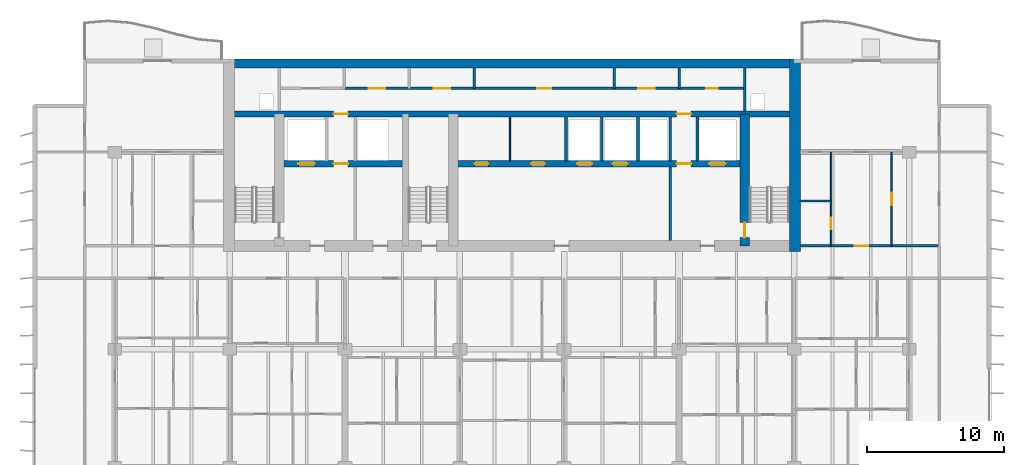
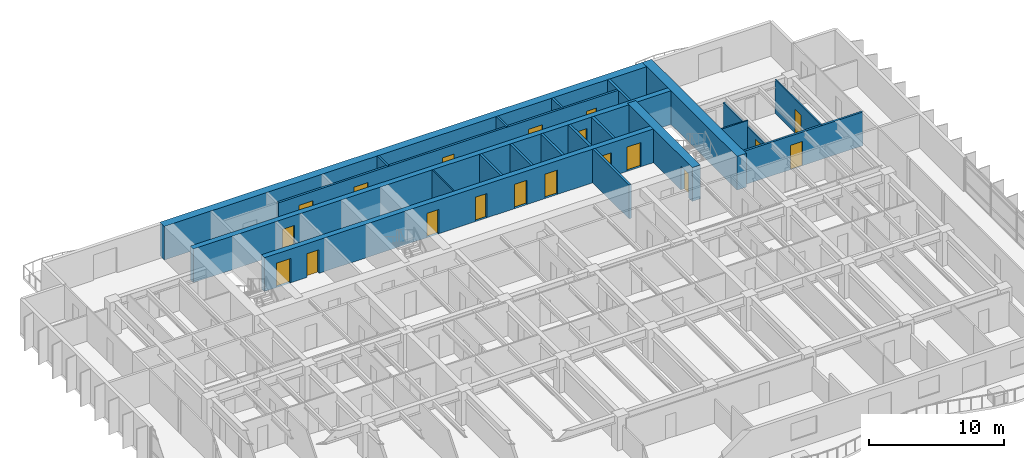
# One storey, part 11 of 17: 21 walls, 19 doors, 19 openings.
"""IFC4 building model written with IfcOpenShell, lengths in metres."""

from ifc_helpers import new_model, si_unit, direction, frame, frame_2d, origin, place, context, subcontext, project, spatial, rectangle, extrude, material, layer, layer_set, type_object, element, fill, save


model = new_model("IFC4")

# Units and contexts
model_context = context("Model", 3, precision=1e-05, world=origin(), true_north=direction((0.0, 1.0)))
body_context = subcontext(model_context, "Body", "Model", "MODEL_VIEW")
ifc_project = project(units=[si_unit("LENGTHUNIT", "METRE"), si_unit("AREAUNIT", "SQUARE_METRE"), si_unit("VOLUMEUNIT", "CUBIC_METRE"), si_unit("PLANEANGLEUNIT", "RADIAN"), si_unit("MASSUNIT", "GRAM", prefix="KILO")], contexts=[model_context])

# Site, building, storey
site_placement = place(None, origin())
site = spatial("IfcSite", under=ifc_project, at=site_placement, CompositionType="ELEMENT")
building_placement = place(site_placement, origin())
building = spatial("IfcBuilding", under=site, at=building_placement, Name="Caelmar Bay Residences", CompositionType="ELEMENT")
storey_placement = place(building_placement, frame((0.0, 0.0, 105.89990234375)))
storey = spatial("IfcBuildingStorey", under=building, at=storey_placement, Name="L28", CompositionType="ELEMENT", Elevation=105.89990234375)

# Wall, opening, door
ifc_material_1 = material(Name="Concrete f'c 55 MPa (8,000 psi)", Category="concrete")
ifc_layer_1 = layer(ifc_material_1, 0.699951171875)
ifc_layer_set_1 = layer_set([ifc_layer_1], Name="Concrete f'c 55 MPa (8,000 psi)")
wall_type_1 = type_object("IfcWallType", Name="SW-COR-700", PredefinedType="SHEAR", material=ifc_layer_set_1)
wall_1_placement = place(storey_placement, frame((55.89990234375, 36.949951171875, 0.0), z_axis=(0.0, 0.0, 1.0), x_axis=(0.0, 1.0, 0.0)))
wall_1 = element("IfcWall", 1, at=wall_1_placement, inside=storey, type_object=wall_type_1, Name="L28 Core Structural Web Wall ST2W", PredefinedType="SHEAR", context=body_context, shape_type="SweptSolid", body=[
    extrude(rectangle(XDim=9.625, YDim=0.699951171875, at=frame_2d((4.8125, 0.0))), origin(), (0.0, 0.0, 1.0), 3.050048828125),
])
opening_1_placement = place(wall_1_placement, frame((0.60009765625, 0.0, 0.0)))
opening_1 = element("IfcOpeningElement", 2, at=opening_1_placement, cuts=wall_1, Name="Opening D-L28-110", PredefinedType="OPENING", context=body_context, shape_type="SweptSolid", body=[
    extrude(rectangle(XDim=1.10009765625, YDim=2.14990234375, at=frame_2d((0.550048828125, 1.074951171875))), frame((0.0, 0.35986328125, 0.0), z_axis=(0.0, -1.0, 0.0), x_axis=(1.0, 0.0, 0.0)), (0.0, 0.0, 1.0), 0.719970703125),
])
ifc_material_2 = material(Name="Fire-rated steel and walnut architectural door assembly", Category="steel")
ifc_layer_2 = layer(ifc_material_2, 0.050048828125)
ifc_layer_set_2 = layer_set([ifc_layer_2], Name="Fire-rated steel and walnut architectural door assembly")
door_type_1 = type_object("IfcDoorType", Name="D-STAIR-1100", OperationType="NOTDEFINED", PredefinedType="DOOR", material=ifc_layer_set_2)
door_1_placement = place(opening_1_placement, origin())
door_1 = element("IfcDoor", 3, at=door_1_placement, inside=storey, type_object=door_type_1, Name="L28 Firefighting Lobby East Door", OperationType="SINGLE_SWING_RIGHT", OverallHeight=2.14990234375, OverallWidth=1.10009765625, PredefinedType="DOOR", context=body_context, shape_type="SweptSolid", body=[
    extrude(rectangle(XDim=1.10009765625, YDim=2.14990234375, at=frame_2d((0.550048828125, 1.074951171875))), frame((0.0, 0.02490234375, 0.0), z_axis=(0.0, -1.0, 0.0), x_axis=(1.0, 0.0, 0.0)), (0.0, 0.0, 1.0), 0.050048828125),
])
fill(opening_1, door_1)

# Walls
ifc_material_3 = material(Name="Concrete f'c 70 MPa (10,000 psi)", Category="concrete")
ifc_layer_3 = layer(ifc_material_3, 0.800048828125)
ifc_layer_set_3 = layer_set([ifc_layer_3], Name="Concrete f'c 70 MPa (10,000 psi)")
wall_type_2 = type_object("IfcWallType", Name="SW-COR-800", PredefinedType="SHEAR", material=ifc_layer_set_3)
wall_2_placement = place(storey_placement, frame((59.550048828125, 36.550048828125, 0.0), z_axis=(0.0, 0.0, 1.0), x_axis=(0.0, 1.0, 0.0)))
element("IfcWall", 4, at=wall_2_placement, inside=storey, type_object=wall_type_2, Name="L28 Rear Core East Shear Wall", PredefinedType="SHEAR", context=body_context, shape_type="SweptSolid", body=[
    extrude(rectangle(XDim=14.050048828125, YDim=0.800048828125, at=frame_2d((7.02490234375, 0.0))), origin(), (0.0, 0.0, 1.0), 3.050048828125),
])
ifc_layer_4 = layer(ifc_material_1, 0.64990234375)
ifc_layer_set_4 = layer_set([ifc_layer_4], Name="Concrete f'c 55 MPa (8,000 psi)")
wall_type_3 = type_object("IfcWallType", Name="SW-CORN-650", PredefinedType="SHEAR", material=ifc_layer_set_4)
wall_3_placement = place(storey_placement, frame((17.85009765625, 50.27490234375, 0.0), z_axis=(0.0, 0.0, 1.0), x_axis=(1.0, 0.0, 0.0)))
element("IfcWall", 5, at=wall_3_placement, inside=storey, type_object=wall_type_3, Name="L28 Rear Core North Shear Wall", PredefinedType="SHEAR", context=body_context, shape_type="SweptSolid", body=[
    extrude(rectangle(XDim=42.099853515625, YDim=0.64990234375, at=frame_2d((21.0498046875, 0.0))), origin(), (0.0, 0.0, 1.0), 3.050048828125),
])

# Wall, openings, doors
ifc_layer_5 = layer(ifc_material_3, 0.449951171875)
ifc_layer_set_5 = layer_set([ifc_layer_5], Name="Concrete f'c 70 MPa (10,000 psi)")
wall_type_4 = type_object("IfcWallType", Name="SW-WEB-450", PredefinedType="SHEAR", material=ifc_layer_set_5)
wall_4_placement = place(storey_placement, frame((22.25, 42.949951171875, 0.0), z_axis=(0.0, 0.0, 1.0), x_axis=(1.0, 0.0, 0.0)))
wall_4 = element("IfcWall", 6, at=wall_4_placement, inside=storey, type_object=wall_type_4, Name="L28 Core Structural Web Wall LFR", PredefinedType="SHEAR", context=body_context, shape_type="SweptSolid", body=[
    extrude(rectangle(XDim=33.300048828125, YDim=0.449951171875, at=frame_2d((16.64990234375, 0.0))), origin(), (0.0, 0.0, 1.0), 3.050048828125),
])
opening_2_placement = place(wall_4_placement, frame((1.050048828125, 0.0, 0.0)))
opening_2 = element("IfcOpeningElement", 7, at=opening_2_placement, cuts=wall_4, Name="Opening LD2", PredefinedType="OPENING", context=body_context, shape_type="SweptSolid", body=[
    extrude(rectangle(XDim=1.199951171875, YDim=2.199951171875, at=frame_2d((0.60009765625, 1.10009765625))), frame((0.0, 0.23486328125, 0.0), z_axis=(0.0, -1.0, 0.0), x_axis=(1.0, 0.0, 0.0)), (0.0, 0.0, 1.0), 0.469970703125),
])
opening_3_placement = place(wall_4_placement, frame((31.050048828125, 0.0, 0.0)))
opening_3 = element("IfcOpeningElement", 8, at=opening_3_placement, cuts=wall_4, Name="Opening LD2", PredefinedType="OPENING", context=body_context, shape_type="SweptSolid", body=[
    extrude(rectangle(XDim=1.199951171875, YDim=2.199951171875, at=frame_2d((0.60009765625, 1.10009765625))), frame((0.0, 0.23486328125, 0.0), z_axis=(0.0, -1.0, 0.0), x_axis=(1.0, 0.0, 0.0)), (0.0, 0.0, 1.0), 0.469970703125),
])
opening_4_placement = place(wall_4_placement, frame((21.39990234375, 0.0, 0.0)))
opening_4 = element("IfcOpeningElement", 9, at=opening_4_placement, cuts=wall_4, Name="Opening LD1", PredefinedType="OPENING", context=body_context, shape_type="SweptSolid", body=[
    extrude(rectangle(XDim=1.10009765625, YDim=2.199951171875, at=frame_2d((0.550048828125, 1.10009765625))), frame((0.0, 0.23486328125, 0.0), z_axis=(0.0, -1.0, 0.0), x_axis=(1.0, 0.0, 0.0)), (0.0, 0.0, 1.0), 0.469970703125),
])
opening_5_placement = place(wall_4_placement, frame((24.0, 0.0, 0.0)))
opening_5 = element("IfcOpeningElement", 10, at=opening_5_placement, cuts=wall_4, Name="Opening LD1", PredefinedType="OPENING", context=body_context, shape_type="SweptSolid", body=[
    extrude(rectangle(XDim=1.10009765625, YDim=2.199951171875, at=frame_2d((0.550048828125, 1.10009765625))), frame((0.0, 0.23486328125, 0.0), z_axis=(0.0, -1.0, 0.0), x_axis=(1.0, 0.0, 0.0)), (0.0, 0.0, 1.0), 0.469970703125),
])
opening_6_placement = place(wall_4_placement, frame((3.625, 0.0, 0.0)))
opening_6 = element("IfcOpeningElement", 11, at=opening_6_placement, cuts=wall_4, Name="Opening D-L28-108", PredefinedType="OPENING", context=body_context, shape_type="SweptSolid", body=[
    extrude(rectangle(XDim=1.050048828125, YDim=2.14990234375, at=frame_2d((0.52490234375, 1.074951171875))), frame((0.0, 0.23486328125, 0.0), z_axis=(0.0, -1.0, 0.0), x_axis=(1.0, 0.0, 0.0)), (0.0, 0.0, 1.0), 0.469970703125),
])
opening_7_placement = place(wall_4_placement, frame((28.675048828125, 0.0, 0.0)))
opening_7 = element("IfcOpeningElement", 12, at=opening_7_placement, cuts=wall_4, Name="Opening D-L28-111", PredefinedType="OPENING", context=body_context, shape_type="SweptSolid", body=[
    extrude(rectangle(XDim=1.050048828125, YDim=2.14990234375, at=frame_2d((0.52490234375, 1.074951171875))), frame((0.0, 0.23486328125, 0.0), z_axis=(0.0, -1.0, 0.0), x_axis=(1.0, 0.0, 0.0)), (0.0, 0.0, 1.0), 0.469970703125),
])
opening_8_placement = place(wall_4_placement, frame((13.925048828125, 0.0, 0.0)))
opening_8 = element("IfcOpeningElement", 13, at=opening_8_placement, cuts=wall_4, Name="Opening D-L28-114", PredefinedType="OPENING", context=body_context, shape_type="SweptSolid", body=[
    extrude(rectangle(XDim=1.0, YDim=2.199951171875, at=frame_2d((0.5, 1.10009765625))), frame((0.0, 0.23486328125, 0.0), z_axis=(0.0, -1.0, 0.0), x_axis=(1.0, 0.0, 0.0)), (0.0, 0.0, 1.0), 0.469970703125),
])
opening_9_placement = place(wall_4_placement, frame((18.050048828125, 0.0, 0.0)))
opening_9 = element("IfcOpeningElement", 14, at=opening_9_placement, cuts=wall_4, Name="Opening D-L28-115", PredefinedType="OPENING", context=body_context, shape_type="SweptSolid", body=[
    extrude(rectangle(XDim=1.0, YDim=2.199951171875, at=frame_2d((0.5, 1.10009765625))), frame((0.0, 0.23486328125, 0.0), z_axis=(0.0, -1.0, 0.0), x_axis=(1.0, 0.0, 0.0)), (0.0, 0.0, 1.0), 0.469970703125),
])
ifc_layer_6 = layer(ifc_material_2, 0.050048828125)
ifc_layer_set_6 = layer_set([ifc_layer_6], Name="Fire-rated steel and walnut architectural door assembly")
door_type_2 = type_object("IfcDoorType", Name="D-FSAE-1050", OperationType="NOTDEFINED", PredefinedType="DOOR", material=ifc_layer_set_6)
door_2_placement = place(opening_6_placement, origin())
door_2 = element("IfcDoor", 15, at=door_2_placement, inside=storey, type_object=door_type_2, Name="L28 Firefighting Lobby West Door", OperationType="SINGLE_SWING_RIGHT", OverallHeight=2.14990234375, OverallWidth=1.050048828125, PredefinedType="DOOR", context=body_context, shape_type="SweptSolid", body=[
    extrude(rectangle(XDim=1.050048828125, YDim=2.14990234375, at=frame_2d((0.52490234375, 1.074951171875))), frame((0.0, 0.02490234375, 0.0), z_axis=(0.0, -1.0, 0.0), x_axis=(1.0, 0.0, 0.0)), (0.0, 0.0, 1.0), 0.050048828125),
])
fill(opening_6, door_2)
door_3_placement = place(opening_7_placement, origin())
door_3 = element("IfcDoor", 16, at=door_3_placement, inside=storey, type_object=door_type_2, Name="L28 Firefighting Lobby East Door", OperationType="SINGLE_SWING_LEFT", OverallHeight=2.14990234375, OverallWidth=1.050048828125, PredefinedType="DOOR", context=body_context, shape_type="SweptSolid", body=[
    extrude(rectangle(XDim=1.050048828125, YDim=2.14990234375, at=frame_2d((0.52490234375, 1.074951171875))), frame((0.0, 0.02490234375, 0.0), z_axis=(0.0, -1.0, 0.0), x_axis=(1.0, 0.0, 0.0)), (0.0, 0.0, 1.0), 0.050048828125),
])
fill(opening_7, door_3)
ifc_material_4 = material(Name="Brushed bronze stainless-steel fire-rated lift landing doors", Category="steel")
ifc_layer_7 = layer(ifc_material_4, 0.050048828125)
ifc_layer_set_7 = layer_set([ifc_layer_7], Name="Brushed bronze stainless-steel fire-rated lift landing doors")
door_type_3 = type_object("IfcDoorType", Name="D-LND-1100", OperationType="DOUBLE_DOOR_SLIDING", PredefinedType="DOOR", material=ifc_layer_set_7)
door_4_placement = place(opening_4_placement, origin())
door_4 = element("IfcDoor", 17, at=door_4_placement, inside=storey, type_object=door_type_3, Name="L28 LP4 Sliding Landing Door", OperationType="DOUBLE_DOOR_SLIDING", OverallHeight=2.199951171875, OverallWidth=1.10009765625, PredefinedType="DOOR", context=body_context, shape_type="SweptSolid", body=[
    extrude(rectangle(XDim=1.10009765625, YDim=2.199951171875, at=frame_2d((0.550048828125, 1.10009765625))), frame((0.0, 0.02490234375, 0.0), z_axis=(0.0, -1.0, 0.0), x_axis=(1.0, 0.0, 0.0)), (0.0, 0.0, 1.0), 0.050048828125),
])
fill(opening_4, door_4)
door_5_placement = place(opening_5_placement, origin())
door_5 = element("IfcDoor", 18, at=door_5_placement, inside=storey, type_object=door_type_3, Name="L28 LP5 Sliding Landing Door", OperationType="DOUBLE_DOOR_SLIDING", OverallHeight=2.199951171875, OverallWidth=1.10009765625, PredefinedType="DOOR", context=body_context, shape_type="SweptSolid", body=[
    extrude(rectangle(XDim=1.10009765625, YDim=2.199951171875, at=frame_2d((0.550048828125, 1.10009765625))), frame((0.0, 0.02490234375, 0.0), z_axis=(0.0, -1.0, 0.0), x_axis=(1.0, 0.0, 0.0)), (0.0, 0.0, 1.0), 0.050048828125),
])
fill(opening_5, door_5)
ifc_material_5 = material(Name="Brushed stainless-steel FSAE sliding landing door", Category="steel")
ifc_layer_8 = layer(ifc_material_5, 0.050048828125)
ifc_layer_set_8 = layer_set([ifc_layer_8], Name="Brushed stainless-steel FSAE sliding landing door")
door_type_4 = type_object("IfcDoorType", Name="D-LND-1200", OperationType="DOUBLE_DOOR_SLIDING", PredefinedType="DOOR", material=ifc_layer_set_8)
door_6_placement = place(opening_2_placement, origin())
door_6 = element("IfcDoor", 19, at=door_6_placement, inside=storey, type_object=door_type_4, Name="L28 LF1 Sliding Landing Door", OperationType="DOUBLE_DOOR_SLIDING", OverallHeight=2.199951171875, OverallWidth=1.199951171875, PredefinedType="DOOR", context=body_context, shape_type="SweptSolid", body=[
    extrude(rectangle(XDim=1.199951171875, YDim=2.199951171875, at=frame_2d((0.60009765625, 1.10009765625))), frame((0.0, 0.02490234375, 0.0), z_axis=(0.0, -1.0, 0.0), x_axis=(1.0, 0.0, 0.0)), (0.0, 0.0, 1.0), 0.050048828125),
])
fill(opening_2, door_6)
door_7_placement = place(opening_3_placement, origin())
door_7 = element("IfcDoor", 20, at=door_7_placement, inside=storey, type_object=door_type_4, Name="L28 LF2 Sliding Landing Door", OperationType="DOUBLE_DOOR_SLIDING", OverallHeight=2.199951171875, OverallWidth=1.199951171875, PredefinedType="DOOR", context=body_context, shape_type="SweptSolid", body=[
    extrude(rectangle(XDim=1.199951171875, YDim=2.199951171875, at=frame_2d((0.60009765625, 1.10009765625))), frame((0.0, 0.02490234375, 0.0), z_axis=(0.0, -1.0, 0.0), x_axis=(1.0, 0.0, 0.0)), (0.0, 0.0, 1.0), 0.050048828125),
])
fill(opening_3, door_7)
ifc_layer_9 = layer(ifc_material_2, 0.050048828125)
ifc_layer_set_9 = layer_set([ifc_layer_9], Name="Fire-rated steel and walnut architectural door assembly")
door_type_5 = type_object("IfcDoorType", Name="D-UNIT-1000", OperationType="NOTDEFINED", PredefinedType="DOOR", material=ifc_layer_set_9)
door_8_placement = place(opening_8_placement, origin())
door_8 = element("IfcDoor", 21, at=door_8_placement, inside=storey, type_object=door_type_5, Name="L28 Residents Study Room Door", OperationType="SINGLE_SWING_RIGHT", OverallHeight=2.199951171875, OverallWidth=1.0, PredefinedType="DOOR", context=body_context, shape_type="SweptSolid", body=[
    extrude(rectangle(XDim=1.0, YDim=2.199951171875, at=frame_2d((0.5, 1.10009765625))), frame((0.0, 0.02490234375, 0.0), z_axis=(0.0, -1.0, 0.0), x_axis=(1.0, 0.0, 0.0)), (0.0, 0.0, 1.0), 0.050048828125),
])
fill(opening_8, door_8)
door_9_placement = place(opening_9_placement, origin())
door_9 = element("IfcDoor", 22, at=door_9_placement, inside=storey, type_object=door_type_5, Name="L28 Wine Tasting Room Door", OperationType="SINGLE_SWING_LEFT", OverallHeight=2.199951171875, OverallWidth=1.0, PredefinedType="DOOR", context=body_context, shape_type="SweptSolid", body=[
    extrude(rectangle(XDim=1.0, YDim=2.199951171875, at=frame_2d((0.5, 1.10009765625))), frame((0.0, 0.02490234375, 0.0), z_axis=(0.0, -1.0, 0.0), x_axis=(1.0, 0.0, 0.0)), (0.0, 0.0, 1.0), 0.050048828125),
])
fill(opening_9, door_9)

wall_5_placement = place(storey_placement, frame((18.25, 46.574951171875, 0.0), z_axis=(0.0, 0.0, 1.0), x_axis=(1.0, 0.0, 0.0)))
wall_5 = element("IfcWall", 23, at=wall_5_placement, inside=storey, type_object=wall_type_4, Name="L28 Core Structural Web Wall SRVS", PredefinedType="SHEAR", context=body_context, shape_type="SweptSolid", body=[
    extrude(rectangle(XDim=41.300048828125, YDim=0.449951171875, at=frame_2d((20.64990234375, 0.0))), origin(), (0.0, 0.0, 1.0), 3.050048828125),
])
opening_10_placement = place(wall_5_placement, frame((7.625, 0.0, 0.0)))
opening_10 = element("IfcOpeningElement", 24, at=opening_10_placement, cuts=wall_5, Name="Opening D-L28-116", PredefinedType="OPENING", context=body_context, shape_type="SweptSolid", body=[
    extrude(rectangle(XDim=1.050048828125, YDim=2.14990234375, at=frame_2d((0.52490234375, 1.074951171875))), frame((0.0, 0.23486328125, 0.0), z_axis=(0.0, -1.0, 0.0), x_axis=(1.0, 0.0, 0.0)), (0.0, 0.0, 1.0), 0.469970703125),
])
opening_11_placement = place(wall_5_placement, frame((32.675048828125, 0.0, 0.0)))
opening_11 = element("IfcOpeningElement", 25, at=opening_11_placement, cuts=wall_5, Name="Opening D-L28-117", PredefinedType="OPENING", context=body_context, shape_type="SweptSolid", body=[
    extrude(rectangle(XDim=1.050048828125, YDim=2.14990234375, at=frame_2d((0.52490234375, 1.074951171875))), frame((0.0, 0.23486328125, 0.0), z_axis=(0.0, -1.0, 0.0), x_axis=(1.0, 0.0, 0.0)), (0.0, 0.0, 1.0), 0.469970703125),
])
door_10_placement = place(opening_10_placement, origin())
door_10 = element("IfcDoor", 26, at=door_10_placement, inside=storey, type_object=door_type_2, Name="L28 Core Service Corridor Door", OperationType="SINGLE_SWING_RIGHT", OverallHeight=2.14990234375, OverallWidth=1.050048828125, PredefinedType="DOOR", context=body_context, shape_type="SweptSolid", body=[
    extrude(rectangle(XDim=1.050048828125, YDim=2.14990234375, at=frame_2d((0.52490234375, 1.074951171875))), frame((0.0, 0.02490234375, 0.0), z_axis=(0.0, -1.0, 0.0), x_axis=(1.0, 0.0, 0.0)), (0.0, 0.0, 1.0), 0.050048828125),
])
fill(opening_10, door_10)
door_11_placement = place(opening_11_placement, origin())
door_11 = element("IfcDoor", 27, at=door_11_placement, inside=storey, type_object=door_type_2, Name="L28 Core Service Corridor Door", OperationType="SINGLE_SWING_LEFT", OverallHeight=2.14990234375, OverallWidth=1.050048828125, PredefinedType="DOOR", context=body_context, shape_type="SweptSolid", body=[
    extrude(rectangle(XDim=1.050048828125, YDim=2.14990234375, at=frame_2d((0.52490234375, 1.074951171875))), frame((0.0, 0.02490234375, 0.0), z_axis=(0.0, -1.0, 0.0), x_axis=(1.0, 0.0, 0.0)), (0.0, 0.0, 1.0), 0.050048828125),
])
fill(opening_11, door_11)

# Walls
ifc_material_6 = material(Name="Double-stud acoustic fire-rated gypsum partition 180 mm")
ifc_layer_10 = layer(ifc_material_6, 0.179931640625)
ifc_layer_set_10 = layer_set([ifc_layer_10], Name="Double-stud acoustic fire-rated gypsum partition 180 mm")
wall_type_5 = type_object("IfcWallType", Name="W-COR-200", PredefinedType="PARTITIONING", material=ifc_layer_set_10)
for number, where, z_axis, x_axis, name in (
    (28, (36.14990234375, 48.449951171875, 0.0), (0.0, 0.0, 1.0), (0.0, 1.0, 0.0), "L28 Partition Wall V058"),
    (29, (46.35009765625, 48.449951171875, 0.0), (0.0, 0.0, 1.0), (0.0, 1.0, 0.0), "L28 Partition Wall V071"),
    (30, (51.10009765625, 48.449951171875, 0.0), (0.0, 0.0, 1.0), (0.0, 1.0, 0.0), "L28 Partition Wall V083"),
):
    element("IfcWall", number, at=place(storey_placement, frame(where, z_axis=z_axis, x_axis=x_axis)), inside=storey, type_object=wall_type_5, Name=name, PredefinedType="PARTITIONING", context=body_context, shape_type="SweptSolid", body=[
        extrude(rectangle(XDim=1.505126953125, YDim=0.179931640625, at=frame_2d((0.75244140625, 0.0))), origin(), (0.0, 0.0, 1.0), 3.050048828125),
    ])

# Wall, opening, door
wall_6_placement = place(storey_placement, frame((59.955078125, 36.949951171875, 0.0), z_axis=(0.0, 0.0, 1.0), x_axis=(1.0, 0.0, 0.0)))
wall_6 = element("IfcWall", 31, at=wall_6_placement, inside=storey, type_object=wall_type_5, Name="L28 Partition Wall H146", PredefinedType="PARTITIONING", context=body_context, shape_type="SweptSolid", body=[
    extrude(rectangle(XDim=10.14501953125, YDim=0.179931640625, at=frame_2d((5.072509765625, 0.0))), origin(), (0.0, 0.0, 1.0), 3.050048828125),
])
opening_12_placement = place(wall_6_placement, frame((3.95703125, 0.0, 0.0)))
opening_12 = element("IfcOpeningElement", 32, at=opening_12_placement, cuts=wall_6, Name="Opening D-L28-179", PredefinedType="OPENING", context=body_context, shape_type="SweptSolid", body=[
    extrude(rectangle(XDim=1.0, YDim=2.199951171875, at=frame_2d((0.5, 1.10009765625))), frame((0.0, 0.099853515625, 0.0), z_axis=(0.0, -1.0, 0.0), x_axis=(1.0, 0.0, 0.0)), (0.0, 0.0, 1.0), 0.199951171875),
])
door_12_placement = place(opening_12_placement, origin())
door_12 = element("IfcDoor", 33, at=door_12_placement, inside=storey, type_object=door_type_5, Name="L28 Residence EA Kitchen Door", OperationType="SINGLE_SWING_LEFT", OverallHeight=2.199951171875, OverallWidth=1.0, PredefinedType="DOOR", context=body_context, shape_type="SweptSolid", body=[
    extrude(rectangle(XDim=1.0, YDim=2.199951171875, at=frame_2d((0.5, 1.10009765625))), frame((0.0, 0.02490234375, 0.0), z_axis=(0.0, -1.0, 0.0), x_axis=(1.0, 0.0, 0.0)), (0.0, 0.0, 1.0), 0.050048828125),
])
fill(opening_12, door_12)

# Wall, openings, doors
wall_7_placement = place(storey_placement, frame((26.699951171875, 48.449951171875, 0.0), z_axis=(0.0, 0.0, 1.0), x_axis=(1.0, 0.0, 0.0)))
wall_7 = element("IfcWall", 34, at=wall_7_placement, inside=storey, type_object=wall_type_5, Name="L28 Partition Wall H152", PredefinedType="PARTITIONING", context=body_context, shape_type="SweptSolid", body=[
    extrude(rectangle(XDim=29.199951171875, YDim=0.179931640625, at=frame_2d((14.60009765625, 0.0))), origin(), (0.0, 0.0, 1.0), 3.050048828125),
])
opening_13_placement = place(wall_7_placement, frame((1.75, 0.0, 0.0)))
opening_13 = element("IfcOpeningElement", 35, at=opening_13_placement, cuts=wall_7, Name="Opening D-L28-119", PredefinedType="OPENING", context=body_context, shape_type="SweptSolid", body=[
    extrude(rectangle(XDim=1.199951171875, YDim=2.199951171875, at=frame_2d((0.60009765625, 1.10009765625))), frame((0.0, 0.099853515625, 0.0), z_axis=(0.0, -1.0, 0.0), x_axis=(1.0, 0.0, 0.0)), (0.0, 0.0, 1.0), 0.199951171875),
])
opening_14_placement = place(wall_7_placement, frame((6.47509765625, 0.0, 0.0)))
opening_14 = element("IfcOpeningElement", 36, at=opening_14_placement, cuts=wall_7, Name="Opening D-L28-120", PredefinedType="OPENING", context=body_context, shape_type="SweptSolid", body=[
    extrude(rectangle(XDim=1.199951171875, YDim=2.199951171875, at=frame_2d((0.60009765625, 1.10009765625))), frame((0.0, 0.099853515625, 0.0), z_axis=(0.0, -1.0, 0.0), x_axis=(1.0, 0.0, 0.0)), (0.0, 0.0, 1.0), 0.199951171875),
])
opening_15_placement = place(wall_7_placement, frame((14.050048828125, 0.0, 0.0)))
opening_15 = element("IfcOpeningElement", 37, at=opening_15_placement, cuts=wall_7, Name="Opening D-L28-121", PredefinedType="OPENING", context=body_context, shape_type="SweptSolid", body=[
    extrude(rectangle(XDim=1.0, YDim=2.199951171875, at=frame_2d((0.5, 1.10009765625))), frame((0.0, 0.099853515625, 0.0), z_axis=(0.0, -1.0, 0.0), x_axis=(1.0, 0.0, 0.0)), (0.0, 0.0, 1.0), 0.199951171875),
])
opening_16_placement = place(wall_7_placement, frame((21.425048828125, 0.0, 0.0)))
opening_16 = element("IfcOpeningElement", 38, at=opening_16_placement, cuts=wall_7, Name="Opening D-L28-122", PredefinedType="OPENING", context=body_context, shape_type="SweptSolid", body=[
    extrude(rectangle(XDim=1.199951171875, YDim=2.199951171875, at=frame_2d((0.60009765625, 1.10009765625))), frame((0.0, 0.099853515625, 0.0), z_axis=(0.0, -1.0, 0.0), x_axis=(1.0, 0.0, 0.0)), (0.0, 0.0, 1.0), 0.199951171875),
])
opening_17_placement = place(wall_7_placement, frame((26.375, 0.0, 0.0)))
opening_17 = element("IfcOpeningElement", 39, at=opening_17_placement, cuts=wall_7, Name="Opening D-L28-123", PredefinedType="OPENING", context=body_context, shape_type="SweptSolid", body=[
    extrude(rectangle(XDim=0.85009765625, YDim=2.10009765625, at=frame_2d((0.425048828125, 1.050048828125))), frame((0.0, 0.099853515625, 0.0), z_axis=(0.0, -1.0, 0.0), x_axis=(1.0, 0.0, 0.0)), (0.0, 0.0, 1.0), 0.199951171875),
])
ifc_layer_11 = layer(ifc_material_2, 0.050048828125)
ifc_layer_set_11 = layer_set([ifc_layer_11], Name="Fire-rated steel and walnut architectural door assembly")
door_type_6 = type_object("IfcDoorType", Name="D-CORE-850", OperationType="NOTDEFINED", PredefinedType="DOOR", material=ifc_layer_set_11)
door_13_placement = place(opening_17_placement, origin())
door_13 = element("IfcDoor", 40, at=door_13_placement, inside=storey, type_object=door_type_6, Name="L28 Staff Restroom Door", OperationType="SINGLE_SWING_LEFT", OverallHeight=2.10009765625, OverallWidth=0.85009765625, PredefinedType="DOOR", context=body_context, shape_type="SweptSolid", body=[
    extrude(rectangle(XDim=0.85009765625, YDim=2.10009765625, at=frame_2d((0.425048828125, 1.050048828125))), frame((0.0, 0.02490234375, 0.0), z_axis=(0.0, -1.0, 0.0), x_axis=(1.0, 0.0, 0.0)), (0.0, 0.0, 1.0), 0.050048828125),
])
fill(opening_17, door_13)
ifc_layer_12 = layer(ifc_material_2, 0.050048828125)
ifc_layer_set_12 = layer_set([ifc_layer_12], Name="Fire-rated steel and walnut architectural door assembly")
door_type_7 = type_object("IfcDoorType", Name="D-PLANT-1200", OperationType="NOTDEFINED", PredefinedType="DOOR", material=ifc_layer_set_12)
door_14_placement = place(opening_13_placement, origin())
door_14 = element("IfcDoor", 41, at=door_14_placement, inside=storey, type_object=door_type_7, Name="L28 Water Meter Closet Door", OperationType="SINGLE_SWING_LEFT", OverallHeight=2.199951171875, OverallWidth=1.199951171875, PredefinedType="DOOR", context=body_context, shape_type="SweptSolid", body=[
    extrude(rectangle(XDim=1.199951171875, YDim=2.199951171875, at=frame_2d((0.60009765625, 1.10009765625))), frame((0.0, 0.02490234375, 0.0), z_axis=(0.0, -1.0, 0.0), x_axis=(1.0, 0.0, 0.0)), (0.0, 0.0, 1.0), 0.050048828125),
])
fill(opening_13, door_14)
door_15_placement = place(opening_14_placement, origin())
door_15 = element("IfcDoor", 42, at=door_15_placement, inside=storey, type_object=door_type_7, Name="L28 Low-Voltage Data Closet Door", OperationType="SINGLE_SWING_RIGHT", OverallHeight=2.199951171875, OverallWidth=1.199951171875, PredefinedType="DOOR", context=body_context, shape_type="SweptSolid", body=[
    extrude(rectangle(XDim=1.199951171875, YDim=2.199951171875, at=frame_2d((0.60009765625, 1.10009765625))), frame((0.0, 0.02490234375, 0.0), z_axis=(0.0, -1.0, 0.0), x_axis=(1.0, 0.0, 0.0)), (0.0, 0.0, 1.0), 0.050048828125),
])
fill(opening_14, door_15)
door_16_placement = place(opening_16_placement, origin())
door_16 = element("IfcDoor", 43, at=door_16_placement, inside=storey, type_object=door_type_7, Name="L28 Valet Trunk Closet Door", OperationType="SINGLE_SWING_RIGHT", OverallHeight=2.199951171875, OverallWidth=1.199951171875, PredefinedType="DOOR", context=body_context, shape_type="SweptSolid", body=[
    extrude(rectangle(XDim=1.199951171875, YDim=2.199951171875, at=frame_2d((0.60009765625, 1.10009765625))), frame((0.0, 0.02490234375, 0.0), z_axis=(0.0, -1.0, 0.0), x_axis=(1.0, 0.0, 0.0)), (0.0, 0.0, 1.0), 0.050048828125),
])
fill(opening_16, door_16)
door_17_placement = place(opening_15_placement, origin())
door_17 = element("IfcDoor", 44, at=door_17_placement, inside=storey, type_object=door_type_5, Name="L28 Mail Sorting Office Door", OperationType="SINGLE_SWING_LEFT", OverallHeight=2.199951171875, OverallWidth=1.0, PredefinedType="DOOR", context=body_context, shape_type="SweptSolid", body=[
    extrude(rectangle(XDim=1.0, YDim=2.199951171875, at=frame_2d((0.5, 1.10009765625))), frame((0.0, 0.02490234375, 0.0), z_axis=(0.0, -1.0, 0.0), x_axis=(1.0, 0.0, 0.0)), (0.0, 0.0, 1.0), 0.050048828125),
])
fill(opening_15, door_17)

# Walls
ifc_material_7 = material(Name="Fire-rated masonry and gypsum shaftliner assembly 200 mm", Category="masonry")
ifc_layer_13 = layer(ifc_material_7, 0.199951171875)
ifc_layer_set_13 = layer_set([ifc_layer_13], Name="Fire-rated masonry and gypsum shaftliner assembly 200 mm")
wall_type_6 = type_object("IfcWallType", Name="W-FSAE-200", PredefinedType="PARTITIONING", material=ifc_layer_set_13)
for number, where, z_axis, x_axis, name in (
    (45, (42.85009765625, 43.169921875, 0.0), (0.0, 0.0, 1.0), (0.0, 1.0, 0.0), "L28 Partition Wall V069"),
    (46, (45.449951171875, 43.169921875, 0.0), (0.0, 0.0, 1.0), (0.0, 1.0, 0.0), "L28 Partition Wall V070"),
    (47, (48.10009765625, 43.169921875, 0.0), (0.0, 0.0, 1.0), (0.0, 1.0, 0.0), "L28 Partition Wall V072"),
):
    element("IfcWall", number, at=place(storey_placement, frame(where, z_axis=z_axis, x_axis=x_axis)), inside=storey, type_object=wall_type_6, Name=name, PredefinedType="PARTITIONING", context=body_context, shape_type="SweptSolid", body=[
        extrude(rectangle(XDim=3.18505859375, YDim=0.199951171875, at=frame_2d((1.592529296875, 0.0))), origin(), (0.0, 0.0, 1.0), 3.050048828125),
    ])
wall_8_placement = place(storey_placement, frame((50.449951171875, 37.344970703125, 0.0), z_axis=(0.0, 0.0, 1.0), x_axis=(0.0, 1.0, 0.0)))
element("IfcWall", 48, at=wall_8_placement, inside=storey, type_object=wall_type_6, Name="L28 Partition Wall V076", PredefinedType="PARTITIONING", context=body_context, shape_type="SweptSolid", body=[
    extrude(rectangle(XDim=5.385009765625, YDim=0.199951171875, at=frame_2d((2.6923828125, 0.0))), origin(), (0.0, 0.0, 1.0), 3.050048828125),
])
for number, where, z_axis, x_axis, name in (
    (49, (50.449951171875, 43.169921875, 0.0), (0.0, 0.0, 1.0), (0.0, 1.0, 0.0), "L28 Partition Wall V077"),
    (50, (52.449951171875, 43.169921875, 0.0), (0.0, 0.0, 1.0), (0.0, 1.0, 0.0), "L28 Partition Wall V084"),
):
    element("IfcWall", number, at=place(storey_placement, frame(where, z_axis=z_axis, x_axis=x_axis)), inside=storey, type_object=wall_type_6, Name=name, PredefinedType="PARTITIONING", context=body_context, shape_type="SweptSolid", body=[
        extrude(rectangle(XDim=3.18505859375, YDim=0.199951171875, at=frame_2d((1.592529296875, 0.0))), origin(), (0.0, 0.0, 1.0), 3.050048828125),
    ])
wall_9_placement = place(storey_placement, frame((55.89990234375, 46.794921875, 0.0), z_axis=(0.0, 0.0, 1.0), x_axis=(0.0, 1.0, 0.0)))
element("IfcWall", 51, at=wall_9_placement, inside=storey, type_object=wall_type_6, Name="L28 Partition Wall V089", PredefinedType="PARTITIONING", context=body_context, shape_type="SweptSolid", body=[
    extrude(rectangle(XDim=3.16015625, YDim=0.199951171875, at=frame_2d((1.580078125, 0.0))), origin(), (0.0, 0.0, 1.0), 3.050048828125),
])
ifc_material_8 = material(Name="Anodised bronze framed acoustic sliding study partition 100 mm")
ifc_layer_14 = layer(ifc_material_8, 0.10009765625)
ifc_layer_set_14 = layer_set([ifc_layer_14], Name="Anodised bronze framed acoustic sliding study partition 100 mm")
wall_type_7 = type_object("IfcWallType", Name="W-MOV-100", PredefinedType="MOVABLE", material=ifc_layer_set_14)
wall_10_placement = place(storey_placement, frame((38.75, 43.169921875, 0.0), z_axis=(0.0, 0.0, 1.0), x_axis=(0.0, 1.0, 0.0)))
element("IfcWall", 52, at=wall_10_placement, inside=storey, type_object=wall_type_7, Name="L28 Partition Wall V059", PredefinedType="MOVABLE", context=body_context, shape_type="SweptSolid", body=[
    extrude(rectangle(XDim=3.18505859375, YDim=0.10009765625, at=frame_2d((1.592529296875, 0.0))), origin(), (0.0, 0.0, 1.0), 3.050048828125),
])

# Wall, opening, door
ifc_material_9 = material(Name="Acoustic metal-stud gypsum partition 120 mm")
ifc_layer_15 = layer(ifc_material_9, 0.1201171875)
ifc_layer_set_15 = layer_set([ifc_layer_15], Name="Acoustic metal-stud gypsum partition 120 mm")
wall_type_8 = type_object("IfcWallType", Name="W-PRT-120", PredefinedType="PARTITIONING", material=ifc_layer_set_15)
wall_11_placement = place(storey_placement, frame((62.199951171875, 36.949951171875, 0.0), z_axis=(0.0, 0.0, 1.0), x_axis=(0.0, 1.0, 0.0)))
wall_11 = element("IfcWall", 53, at=wall_11_placement, inside=storey, type_object=wall_type_8, Name="L28 Partition Wall V098", PredefinedType="PARTITIONING", context=body_context, shape_type="SweptSolid", body=[
    extrude(rectangle(XDim=6.85009765625, YDim=0.1201171875, at=frame_2d((3.425048828125, 0.0))), origin(), (0.0, 0.0, 1.0), 2.4990234375),
])
opening_18_placement = place(wall_11_placement, frame((1.218994140625, 0.0, 0.0)))
opening_18 = element("IfcOpeningElement", 54, at=opening_18_placement, cuts=wall_11, Name="Opening D-L28-181", PredefinedType="OPENING", context=body_context, shape_type="SweptSolid", body=[
    extrude(rectangle(XDim=0.85009765625, YDim=2.10009765625, at=frame_2d((0.425048828125, 1.050048828125))), frame((0.0, 0.070068359375, 0.0), z_axis=(0.0, -1.0, 0.0), x_axis=(1.0, 0.0, 0.0)), (0.0, 0.0, 1.0), 0.14013671875),
])
ifc_material_10 = material(Name="Solid walnut timber interior door leaf and frame", Category="wood")
ifc_layer_16 = layer(ifc_material_10, 0.050048828125)
ifc_layer_set_16 = layer_set([ifc_layer_16], Name="Solid walnut timber interior door leaf and frame")
door_type_8 = type_object("IfcDoorType", Name="D-BATH-850", OperationType="NOTDEFINED", PredefinedType="DOOR", material=ifc_layer_set_16)
door_18_placement = place(opening_18_placement, origin())
door_18 = element("IfcDoor", 55, at=door_18_placement, inside=storey, type_object=door_type_8, Name="L28 Residence EA Walk-In Closet Door", OperationType="SINGLE_SWING_LEFT", OverallHeight=2.10009765625, OverallWidth=0.85009765625, PredefinedType="DOOR", context=body_context, shape_type="SweptSolid", body=[
    extrude(rectangle(XDim=0.85009765625, YDim=2.10009765625, at=frame_2d((0.425048828125, 1.050048828125))), frame((0.0, 0.02490234375, 0.0), z_axis=(0.0, -1.0, 0.0), x_axis=(1.0, 0.0, 0.0)), (0.0, 0.0, 1.0), 0.050048828125),
])
fill(opening_18, door_18)

wall_12_placement = place(storey_placement, frame((66.6240234375, 36.949951171875, 0.0), z_axis=(0.0, 0.0, 1.0), x_axis=(0.0, 1.0, 0.0)))
wall_12 = element("IfcWall", 56, at=wall_12_placement, inside=storey, type_object=wall_type_8, Name="L28 Partition Wall V105", PredefinedType="PARTITIONING", context=body_context, shape_type="SweptSolid", body=[
    extrude(rectangle(XDim=6.85009765625, YDim=0.1201171875, at=frame_2d((3.425048828125, 0.0))), origin(), (0.0, 0.0, 1.0), 3.050048828125),
])
opening_19_placement = place(wall_12_placement, frame((2.97509765625, 0.0, 0.0)))
opening_19 = element("IfcOpeningElement", 57, at=opening_19_placement, cuts=wall_12, Name="Opening D-L28-178", PredefinedType="OPENING", context=body_context, shape_type="SweptSolid", body=[
    extrude(rectangle(XDim=0.89990234375, YDim=2.14990234375, at=frame_2d((0.449951171875, 1.074951171875))), frame((0.0, 0.070068359375, 0.0), z_axis=(0.0, -1.0, 0.0), x_axis=(1.0, 0.0, 0.0)), (0.0, 0.0, 1.0), 0.14013671875),
])
ifc_layer_17 = layer(ifc_material_10, 0.050048828125)
ifc_layer_set_17 = layer_set([ifc_layer_17], Name="Solid walnut timber interior door leaf and frame")
door_type_9 = type_object("IfcDoorType", Name="D-ROOM-900", OperationType="NOTDEFINED", PredefinedType="DOOR", material=ifc_layer_set_17)
door_19_placement = place(opening_19_placement, origin())
door_19 = element("IfcDoor", 58, at=door_19_placement, inside=storey, type_object=door_type_9, Name="L28 Residence EA Dining Room Door", OperationType="SINGLE_SWING_RIGHT", OverallHeight=2.14990234375, OverallWidth=0.89990234375, PredefinedType="DOOR", context=body_context, shape_type="SweptSolid", body=[
    extrude(rectangle(XDim=0.89990234375, YDim=2.14990234375, at=frame_2d((0.449951171875, 1.074951171875))), frame((0.0, 0.02490234375, 0.0), z_axis=(0.0, -1.0, 0.0), x_axis=(1.0, 0.0, 0.0)), (0.0, 0.0, 1.0), 0.050048828125),
])
fill(opening_19, door_19)

# Wall
wall_13_placement = place(storey_placement, frame((59.945068359375, 40.238037109375, 0.0), z_axis=(0.0, 0.0, 1.0), x_axis=(1.0, 0.0, 0.0)))
element("IfcWall", 59, at=wall_13_placement, inside=storey, type_object=wall_type_8, Name="L28 Partition Wall H148", PredefinedType="PARTITIONING", context=body_context, shape_type="SweptSolid", body=[
    extrude(rectangle(XDim=2.2548828125, YDim=0.1201171875, at=frame_2d((1.12744140625, 0.0))), origin(), (0.0, 0.0, 1.0), 3.050048828125),
])

save(model, "model.ifc")
